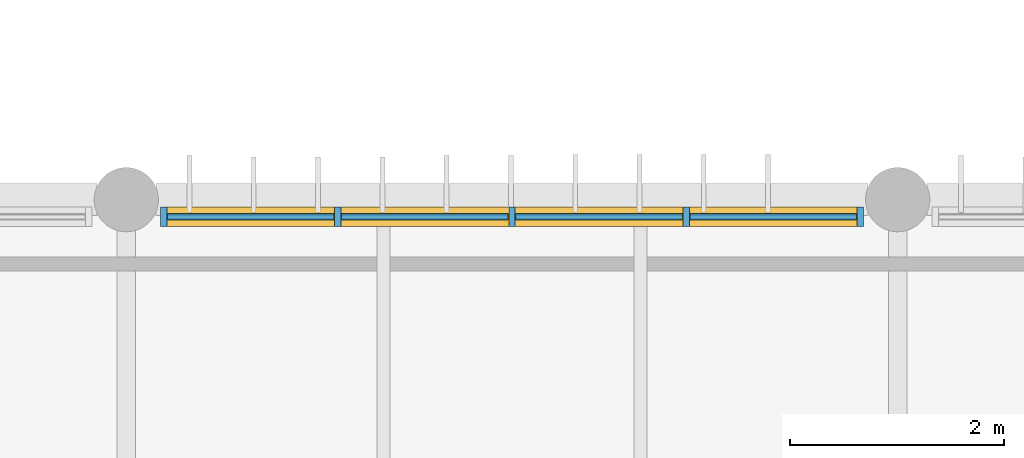
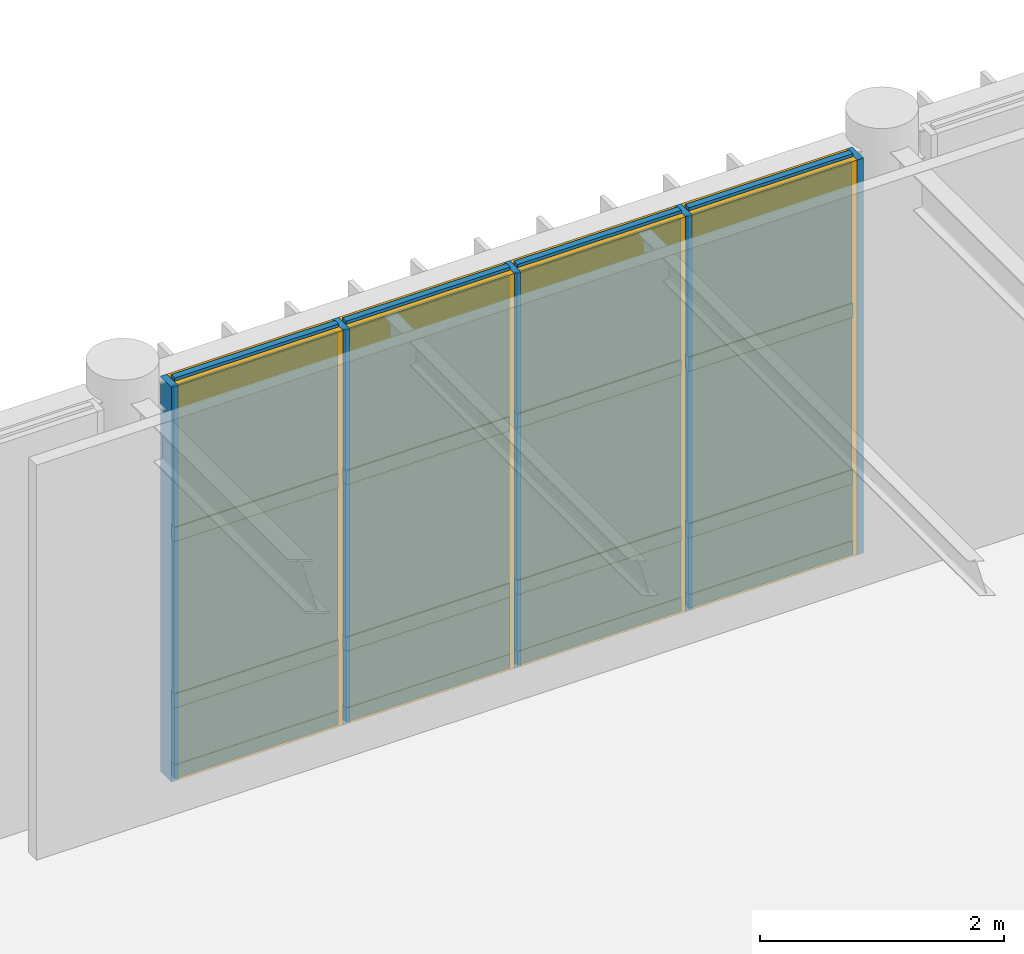
# One storey, part 60 of 104: 21 members, 12 plates, 1 curtain wall.
"""IFC4 building model written with IfcOpenShell, lengths in metres."""

from ifc_helpers import new_model, si_unit, direction, frame, frame_2d, origin, origin_2d, place, context, subcontext, project, spatial, rectangle, extrude, material, layer, layer_set, material_profile, profile_set, type_object, element, aggregate, save


model = new_model("IFC4")

# Units and contexts
model_context = context("Model", 3, precision=1e-05, world=origin(), true_north=direction((0.0, 1.0)))
body_context = subcontext(model_context, "Body", "Model", "MODEL_VIEW")
ifc_project = project(units=[si_unit("LENGTHUNIT", "METRE"), si_unit("AREAUNIT", "SQUARE_METRE"), si_unit("VOLUMEUNIT", "CUBIC_METRE"), si_unit("PLANEANGLEUNIT", "RADIAN"), si_unit("MASSUNIT", "GRAM", prefix="KILO")], contexts=[model_context])

# Member
ifc_material_1 = material(Name="Anodised Bronze Aluminium 6063-T6", Category="aluminium")
ifc_material_profile_1 = material_profile(ifc_material_1, rectangle(XDim=0.06005859375, YDim=0.179931640625, at=origin_2d()), Name="ALU MULLION 60x180")
ifc_profile_set_1 = profile_set([ifc_material_profile_1], Name="Anodised Bronze Aluminium 6063-T6")
member_type_1 = type_object("IfcMemberType", Name="Curtain-Wall Primary Mullion 60x180", PredefinedType="MULLION", material=ifc_profile_set_1)
site_placement = place(None, origin())
building_placement = place(site_placement, origin())
storey_placement = place(building_placement, frame((0.0, 0.0, 9.0)))
member_1_placement = place(storey_placement, frame((43.550048828125, 30.0400390625, 0.0), z_axis=(0.0, 0.0, 1.0), x_axis=(1.0, 0.0, 0.0)))
member_1 = element("IfcMember", 1, at=member_1_placement, type_object=member_type_1, Name="Mullion CWM-01 CW-V5-NRET-W-L02-B2-M01", PredefinedType="MULLION", context=body_context, shape_type="SweptSolid", body=[
    extrude(rectangle(XDim=0.06005859375, YDim=0.179931640625, at=origin_2d()), origin(), (0.0, 0.0, 1.0), 3.9599609375),
])

member_2_placement = place(storey_placement, frame((45.175048828125, 30.0400390625, 0.0), z_axis=(0.0, 0.0, 1.0), x_axis=(1.0, 0.0, 0.0)))
member_2 = element("IfcMember", 2, at=member_2_placement, type_object=member_type_1, Name="Mullion CWM-01 CW-V5-NRET-W-L02-B2-M02", PredefinedType="MULLION", context=body_context, shape_type="SweptSolid", body=[
    extrude(rectangle(XDim=0.06005859375, YDim=0.179931640625, at=origin_2d()), origin(), (0.0, 0.0, 1.0), 3.9599609375),
])

member_3_placement = place(storey_placement, frame((46.800048828125, 30.0400390625, 0.0), z_axis=(0.0, 0.0, 1.0), x_axis=(1.0, 0.0, 0.0)))
member_3 = element("IfcMember", 3, at=member_3_placement, type_object=member_type_1, Name="Mullion CWM-01 CW-V5-NRET-W-L02-B2-M03", PredefinedType="MULLION", context=body_context, shape_type="SweptSolid", body=[
    extrude(rectangle(XDim=0.06005859375, YDim=0.179931640625, at=origin_2d()), origin(), (0.0, 0.0, 1.0), 3.9599609375),
])

member_4_placement = place(storey_placement, frame((48.425048828125, 30.0400390625, 0.0), z_axis=(0.0, 0.0, 1.0), x_axis=(1.0, 0.0, 0.0)))
member_4 = element("IfcMember", 4, at=member_4_placement, type_object=member_type_1, Name="Mullion CWM-01 CW-V5-NRET-W-L02-B2-M04", PredefinedType="MULLION", context=body_context, shape_type="SweptSolid", body=[
    extrude(rectangle(XDim=0.06005859375, YDim=0.179931640625, at=origin_2d()), origin(), (0.0, 0.0, 1.0), 3.9599609375),
])

member_5_placement = place(storey_placement, frame((50.050048828125, 30.0400390625, 0.0), z_axis=(0.0, 0.0, 1.0), x_axis=(1.0, 0.0, 0.0)))
member_5 = element("IfcMember", 5, at=member_5_placement, type_object=member_type_1, Name="Mullion CWM-01 CW-V5-NRET-W-L02-B2-M05", PredefinedType="MULLION", context=body_context, shape_type="SweptSolid", body=[
    extrude(rectangle(XDim=0.06005859375, YDim=0.179931640625, at=origin_2d()), origin(), (0.0, 0.0, 1.0), 3.9599609375),
])

ifc_material_profile_2 = material_profile(ifc_material_1, rectangle(XDim=0.06005859375, YDim=0.139892578125, at=origin_2d()), Name="ALU TRANSOM 60x140")
ifc_profile_set_2 = profile_set([ifc_material_profile_2], Name="Anodised Bronze Aluminium 6063-T6")
member_type_2 = type_object("IfcMemberType", Name="Curtain-Wall Transom 60x140", PredefinedType="USERDEFINED", material=ifc_profile_set_2)
member_6_placement = place(storey_placement, frame((43.5849609375, 30.0400390625, 0.0400390625), z_axis=(1.0, 0.0, 0.0), x_axis=(0.0, 1.0, 0.0)))
member_6 = element("IfcMember", 6, at=member_6_placement, type_object=member_type_2, Name="Transom CWT-01 CW-V5-NRET-W-L02-B2-T01.1", ObjectType="TRANSOM", PredefinedType="USERDEFINED", context=body_context, shape_type="SweptSolid", body=[
    extrude(rectangle(XDim=0.06005859375, YDim=0.139892578125, at=origin_2d()), origin(), (0.0, 0.0, 1.0), 1.554931640625),
])

member_7_placement = place(storey_placement, frame((43.5849609375, 30.0400390625, 0.75), z_axis=(1.0, 0.0, 0.0), x_axis=(0.0, 1.0, 0.0)))
member_7 = element("IfcMember", 7, at=member_7_placement, type_object=member_type_2, Name="Transom CWT-01 CW-V5-NRET-W-L02-B2-T01.2", ObjectType="TRANSOM", PredefinedType="USERDEFINED", context=body_context, shape_type="SweptSolid", body=[
    extrude(rectangle(XDim=0.06005859375, YDim=0.139892578125, at=origin_2d()), origin(), (0.0, 0.0, 1.0), 1.554931640625),
])

member_8_placement = place(storey_placement, frame((43.5849609375, 30.0400390625, 2.419189453125), z_axis=(1.0, 0.0, 0.0), x_axis=(0.0, 1.0, 0.0)))
member_8 = element("IfcMember", 8, at=member_8_placement, type_object=member_type_2, Name="Transom CWT-01 CW-V5-NRET-W-L02-B2-T01.3", ObjectType="TRANSOM", PredefinedType="USERDEFINED", context=body_context, shape_type="SweptSolid", body=[
    extrude(rectangle(XDim=0.06005859375, YDim=0.139892578125, at=origin_2d()), origin(), (0.0, 0.0, 1.0), 1.554931640625),
])

member_9_placement = place(storey_placement, frame((43.5849609375, 30.0400390625, 3.919921875), z_axis=(1.0, 0.0, 0.0), x_axis=(0.0, 1.0, 0.0)))
member_9 = element("IfcMember", 9, at=member_9_placement, type_object=member_type_2, Name="Transom CWT-01 CW-V5-NRET-W-L02-B2-T01.4", ObjectType="TRANSOM", PredefinedType="USERDEFINED", context=body_context, shape_type="SweptSolid", body=[
    extrude(rectangle(XDim=0.06005859375, YDim=0.139892578125, at=origin_2d()), origin(), (0.0, 0.0, 1.0), 1.554931640625),
])

member_10_placement = place(storey_placement, frame((45.2099609375, 30.0400390625, 0.0400390625), z_axis=(1.0, 0.0, 0.0), x_axis=(0.0, 1.0, 0.0)))
member_10 = element("IfcMember", 10, at=member_10_placement, type_object=member_type_2, Name="Transom CWT-01 CW-V5-NRET-W-L02-B2-T02.1", ObjectType="TRANSOM", PredefinedType="USERDEFINED", context=body_context, shape_type="SweptSolid", body=[
    extrude(rectangle(XDim=0.06005859375, YDim=0.139892578125, at=origin_2d()), origin(), (0.0, 0.0, 1.0), 1.554931640625),
])

member_11_placement = place(storey_placement, frame((45.2099609375, 30.0400390625, 0.75), z_axis=(1.0, 0.0, 0.0), x_axis=(0.0, 1.0, 0.0)))
member_11 = element("IfcMember", 11, at=member_11_placement, type_object=member_type_2, Name="Transom CWT-01 CW-V5-NRET-W-L02-B2-T02.2", ObjectType="TRANSOM", PredefinedType="USERDEFINED", context=body_context, shape_type="SweptSolid", body=[
    extrude(rectangle(XDim=0.06005859375, YDim=0.139892578125, at=origin_2d()), origin(), (0.0, 0.0, 1.0), 1.554931640625),
])

member_12_placement = place(storey_placement, frame((45.2099609375, 30.0400390625, 2.419189453125), z_axis=(1.0, 0.0, 0.0), x_axis=(0.0, 1.0, 0.0)))
member_12 = element("IfcMember", 12, at=member_12_placement, type_object=member_type_2, Name="Transom CWT-01 CW-V5-NRET-W-L02-B2-T02.3", ObjectType="TRANSOM", PredefinedType="USERDEFINED", context=body_context, shape_type="SweptSolid", body=[
    extrude(rectangle(XDim=0.06005859375, YDim=0.139892578125, at=origin_2d()), origin(), (0.0, 0.0, 1.0), 1.554931640625),
])

member_13_placement = place(storey_placement, frame((45.2099609375, 30.0400390625, 3.919921875), z_axis=(1.0, 0.0, 0.0), x_axis=(0.0, 1.0, 0.0)))
member_13 = element("IfcMember", 13, at=member_13_placement, type_object=member_type_2, Name="Transom CWT-01 CW-V5-NRET-W-L02-B2-T02.4", ObjectType="TRANSOM", PredefinedType="USERDEFINED", context=body_context, shape_type="SweptSolid", body=[
    extrude(rectangle(XDim=0.06005859375, YDim=0.139892578125, at=origin_2d()), origin(), (0.0, 0.0, 1.0), 1.554931640625),
])

member_14_placement = place(storey_placement, frame((46.8349609375, 30.0400390625, 0.0400390625), z_axis=(1.0, 0.0, 0.0), x_axis=(0.0, 1.0, 0.0)))
member_14 = element("IfcMember", 14, at=member_14_placement, type_object=member_type_2, Name="Transom CWT-01 CW-V5-NRET-W-L02-B2-T03.1", ObjectType="TRANSOM", PredefinedType="USERDEFINED", context=body_context, shape_type="SweptSolid", body=[
    extrude(rectangle(XDim=0.06005859375, YDim=0.139892578125, at=origin_2d()), origin(), (0.0, 0.0, 1.0), 1.554931640625),
])

member_15_placement = place(storey_placement, frame((46.8349609375, 30.0400390625, 0.75), z_axis=(1.0, 0.0, 0.0), x_axis=(0.0, 1.0, 0.0)))
member_15 = element("IfcMember", 15, at=member_15_placement, type_object=member_type_2, Name="Transom CWT-01 CW-V5-NRET-W-L02-B2-T03.2", ObjectType="TRANSOM", PredefinedType="USERDEFINED", context=body_context, shape_type="SweptSolid", body=[
    extrude(rectangle(XDim=0.06005859375, YDim=0.139892578125, at=origin_2d()), origin(), (0.0, 0.0, 1.0), 1.554931640625),
])

member_16_placement = place(storey_placement, frame((46.8349609375, 30.0400390625, 2.419189453125), z_axis=(1.0, 0.0, 0.0), x_axis=(0.0, 1.0, 0.0)))
member_16 = element("IfcMember", 16, at=member_16_placement, type_object=member_type_2, Name="Transom CWT-01 CW-V5-NRET-W-L02-B2-T03.3", ObjectType="TRANSOM", PredefinedType="USERDEFINED", context=body_context, shape_type="SweptSolid", body=[
    extrude(rectangle(XDim=0.06005859375, YDim=0.139892578125, at=origin_2d()), origin(), (0.0, 0.0, 1.0), 1.554931640625),
])

member_17_placement = place(storey_placement, frame((46.8349609375, 30.0400390625, 3.919921875), z_axis=(1.0, 0.0, 0.0), x_axis=(0.0, 1.0, 0.0)))
member_17 = element("IfcMember", 17, at=member_17_placement, type_object=member_type_2, Name="Transom CWT-01 CW-V5-NRET-W-L02-B2-T03.4", ObjectType="TRANSOM", PredefinedType="USERDEFINED", context=body_context, shape_type="SweptSolid", body=[
    extrude(rectangle(XDim=0.06005859375, YDim=0.139892578125, at=origin_2d()), origin(), (0.0, 0.0, 1.0), 1.554931640625),
])

member_18_placement = place(storey_placement, frame((48.4599609375, 30.0400390625, 0.0400390625), z_axis=(1.0, 0.0, 0.0), x_axis=(0.0, 1.0, 0.0)))
member_18 = element("IfcMember", 18, at=member_18_placement, type_object=member_type_2, Name="Transom CWT-01 CW-V5-NRET-W-L02-B2-T04.1", ObjectType="TRANSOM", PredefinedType="USERDEFINED", context=body_context, shape_type="SweptSolid", body=[
    extrude(rectangle(XDim=0.06005859375, YDim=0.139892578125, at=origin_2d()), origin(), (0.0, 0.0, 1.0), 1.554931640625),
])

member_19_placement = place(storey_placement, frame((48.4599609375, 30.0400390625, 0.75), z_axis=(1.0, 0.0, 0.0), x_axis=(0.0, 1.0, 0.0)))
member_19 = element("IfcMember", 19, at=member_19_placement, type_object=member_type_2, Name="Transom CWT-01 CW-V5-NRET-W-L02-B2-T04.2", ObjectType="TRANSOM", PredefinedType="USERDEFINED", context=body_context, shape_type="SweptSolid", body=[
    extrude(rectangle(XDim=0.06005859375, YDim=0.139892578125, at=origin_2d()), origin(), (0.0, 0.0, 1.0), 1.554931640625),
])

member_20_placement = place(storey_placement, frame((48.4599609375, 30.0400390625, 2.419189453125), z_axis=(1.0, 0.0, 0.0), x_axis=(0.0, 1.0, 0.0)))
member_20 = element("IfcMember", 20, at=member_20_placement, type_object=member_type_2, Name="Transom CWT-01 CW-V5-NRET-W-L02-B2-T04.3", ObjectType="TRANSOM", PredefinedType="USERDEFINED", context=body_context, shape_type="SweptSolid", body=[
    extrude(rectangle(XDim=0.06005859375, YDim=0.139892578125, at=origin_2d()), origin(), (0.0, 0.0, 1.0), 1.554931640625),
])

member_21_placement = place(storey_placement, frame((48.4599609375, 30.0400390625, 3.919921875), z_axis=(1.0, 0.0, 0.0), x_axis=(0.0, 1.0, 0.0)))
member_21 = element("IfcMember", 21, at=member_21_placement, type_object=member_type_2, Name="Transom CWT-01 CW-V5-NRET-W-L02-B2-T04.4", ObjectType="TRANSOM", PredefinedType="USERDEFINED", context=body_context, shape_type="SweptSolid", body=[
    extrude(rectangle(XDim=0.06005859375, YDim=0.139892578125, at=origin_2d()), origin(), (0.0, 0.0, 1.0), 1.554931640625),
])

# Plate
ifc_material_2 = material(Name="Insulated Bronze Aluminium Spandrel Panel", Category="aluminium")
ifc_layer_1 = layer(ifc_material_2, 0.050048828125, Name="Insulated Bronze Aluminium Spandrel Panel")
ifc_layer_set_1 = layer_set([ifc_layer_1], Name="Insulated Bronze Aluminium Spandrel Panel")
plate_type_1 = type_object("IfcPlateType", Name="Insulated Anodised Aluminium Spandrel Cassette 50", PredefinedType="CURTAIN_PANEL", material=ifc_layer_set_1)
plate_1_placement = place(storey_placement, frame((44.362548828125, 30.0400390625, 0.070068359375), z_axis=(0.0, 0.0, 1.0), x_axis=(1.0, 0.0, 0.0)))
plate_1 = element("IfcPlate", 22, at=plate_1_placement, type_object=plate_type_1, Name="Curtain Panel CWP-03 CW-V5-NRET-W-L02-B2-P01.1", PredefinedType="CURTAIN_PANEL", context=body_context, shape_type="SweptSolid", body=[
    extrude(rectangle(XDim=1.554931640625, YDim=0.050048828125, at=origin_2d()), origin(), (0.0, 0.0, 1.0), 0.64990234375),
])

plate_2_placement = place(storey_placement, frame((45.987548828125, 30.0400390625, 0.070068359375), z_axis=(0.0, 0.0, 1.0), x_axis=(1.0, 0.0, 0.0)))
plate_2 = element("IfcPlate", 23, at=plate_2_placement, type_object=plate_type_1, Name="Curtain Panel CWP-03 CW-V5-NRET-W-L02-B2-P02.1", PredefinedType="CURTAIN_PANEL", context=body_context, shape_type="SweptSolid", body=[
    extrude(rectangle(XDim=1.554931640625, YDim=0.050048828125, at=origin_2d()), origin(), (0.0, 0.0, 1.0), 0.64990234375),
])

plate_3_placement = place(storey_placement, frame((47.612548828125, 30.0400390625, 0.070068359375), z_axis=(0.0, 0.0, 1.0), x_axis=(1.0, 0.0, 0.0)))
plate_3 = element("IfcPlate", 24, at=plate_3_placement, type_object=plate_type_1, Name="Curtain Panel CWP-03 CW-V5-NRET-W-L02-B2-P03.1", PredefinedType="CURTAIN_PANEL", context=body_context, shape_type="SweptSolid", body=[
    extrude(rectangle(XDim=1.554931640625, YDim=0.050048828125, at=origin_2d()), origin(), (0.0, 0.0, 1.0), 0.64990234375),
])

plate_4_placement = place(storey_placement, frame((49.237548828125, 30.0400390625, 0.070068359375), z_axis=(0.0, 0.0, 1.0), x_axis=(1.0, 0.0, 0.0)))
plate_4 = element("IfcPlate", 25, at=plate_4_placement, type_object=plate_type_1, Name="Curtain Panel CWP-03 CW-V5-NRET-W-L02-B2-P04.1", PredefinedType="CURTAIN_PANEL", context=body_context, shape_type="SweptSolid", body=[
    extrude(rectangle(XDim=1.554931640625, YDim=0.050048828125, at=origin_2d()), origin(), (0.0, 0.0, 1.0), 0.64990234375),
])

ifc_material_3 = material(Name="Solar-Control Tempered Double Glazing", Category="glass")
ifc_layer_2 = layer(ifc_material_3, 0.0380859375, Name="Solar-Control Tempered Double Glazing")
ifc_layer_set_2 = layer_set([ifc_layer_2], Name="Solar-Control Tempered Double Glazing")
plate_type_2 = type_object("IfcPlateType", Name="Solar-Control Vision Glazing Unit 38", PredefinedType="CURTAIN_PANEL", material=ifc_layer_set_2)
plate_5_placement = place(storey_placement, frame((44.362548828125, 30.0400390625, 0.7802734375), z_axis=(0.0, 0.0, 1.0), x_axis=(1.0, 0.0, 0.0)))
plate_5 = element("IfcPlate", 26, at=plate_5_placement, type_object=plate_type_2, Name="Curtain Panel CWP-02 CW-V5-NRET-W-L02-B2-P01.2", PredefinedType="CURTAIN_PANEL", context=body_context, shape_type="SweptSolid", body=[
    extrude(rectangle(XDim=1.554931640625, YDim=0.0380859375, at=origin_2d()), origin(), (0.0, 0.0, 1.0), 1.609130859375),
])

plate_6_placement = place(storey_placement, frame((44.362548828125, 30.0400390625, 2.44921875), z_axis=(0.0, 0.0, 1.0), x_axis=(1.0, 0.0, 0.0)))
plate_6 = element("IfcPlate", 27, at=plate_6_placement, type_object=plate_type_2, Name="Curtain Panel CWP-02 CW-V5-NRET-W-L02-B2-P01.3", PredefinedType="CURTAIN_PANEL", context=body_context, shape_type="SweptSolid", body=[
    extrude(rectangle(XDim=1.554931640625, YDim=0.0380859375, at=origin_2d()), origin(), (0.0, 0.0, 1.0), 1.44091796875),
])

plate_7_placement = place(storey_placement, frame((45.987548828125, 30.0400390625, 0.7802734375), z_axis=(0.0, 0.0, 1.0), x_axis=(1.0, 0.0, 0.0)))
plate_7 = element("IfcPlate", 28, at=plate_7_placement, type_object=plate_type_2, Name="Curtain Panel CWP-02 CW-V5-NRET-W-L02-B2-P02.2", PredefinedType="CURTAIN_PANEL", context=body_context, shape_type="SweptSolid", body=[
    extrude(rectangle(XDim=1.554931640625, YDim=0.0380859375, at=origin_2d()), origin(), (0.0, 0.0, 1.0), 1.609130859375),
])

plate_8_placement = place(storey_placement, frame((45.987548828125, 30.0400390625, 2.44921875), z_axis=(0.0, 0.0, 1.0), x_axis=(1.0, 0.0, 0.0)))
plate_8 = element("IfcPlate", 29, at=plate_8_placement, type_object=plate_type_2, Name="Curtain Panel CWP-02 CW-V5-NRET-W-L02-B2-P02.3", PredefinedType="CURTAIN_PANEL", context=body_context, shape_type="SweptSolid", body=[
    extrude(rectangle(XDim=1.554931640625, YDim=0.0380859375, at=origin_2d()), origin(), (0.0, 0.0, 1.0), 1.44091796875),
])

plate_9_placement = place(storey_placement, frame((47.612548828125, 30.0400390625, 0.7802734375), z_axis=(0.0, 0.0, 1.0), x_axis=(1.0, 0.0, 0.0)))
plate_9 = element("IfcPlate", 30, at=plate_9_placement, type_object=plate_type_2, Name="Curtain Panel CWP-02 CW-V5-NRET-W-L02-B2-P03.2", PredefinedType="CURTAIN_PANEL", context=body_context, shape_type="SweptSolid", body=[
    extrude(rectangle(XDim=1.554931640625, YDim=0.0380859375, at=origin_2d()), origin(), (0.0, 0.0, 1.0), 1.609130859375),
])

plate_10_placement = place(storey_placement, frame((47.612548828125, 30.0400390625, 2.44921875), z_axis=(0.0, 0.0, 1.0), x_axis=(1.0, 0.0, 0.0)))
plate_10 = element("IfcPlate", 31, at=plate_10_placement, type_object=plate_type_2, Name="Curtain Panel CWP-02 CW-V5-NRET-W-L02-B2-P03.3", PredefinedType="CURTAIN_PANEL", context=body_context, shape_type="SweptSolid", body=[
    extrude(rectangle(XDim=1.554931640625, YDim=0.0380859375, at=origin_2d()), origin(), (0.0, 0.0, 1.0), 1.44091796875),
])

plate_11_placement = place(storey_placement, frame((49.237548828125, 30.0400390625, 0.7802734375), z_axis=(0.0, 0.0, 1.0), x_axis=(1.0, 0.0, 0.0)))
plate_11 = element("IfcPlate", 32, at=plate_11_placement, type_object=plate_type_2, Name="Curtain Panel CWP-02 CW-V5-NRET-W-L02-B2-P04.2", PredefinedType="CURTAIN_PANEL", context=body_context, shape_type="SweptSolid", body=[
    extrude(rectangle(XDim=1.554931640625, YDim=0.0380859375, at=origin_2d()), origin(), (0.0, 0.0, 1.0), 1.609130859375),
])

plate_12_placement = place(storey_placement, frame((49.237548828125, 30.0400390625, 2.44921875), z_axis=(0.0, 0.0, 1.0), x_axis=(1.0, 0.0, 0.0)))
plate_12 = element("IfcPlate", 33, at=plate_12_placement, type_object=plate_type_2, Name="Curtain Panel CWP-02 CW-V5-NRET-W-L02-B2-P04.3", PredefinedType="CURTAIN_PANEL", context=body_context, shape_type="SweptSolid", body=[
    extrude(rectangle(XDim=1.554931640625, YDim=0.0380859375, at=origin_2d()), origin(), (0.0, 0.0, 1.0), 1.44091796875),
])

# Site, building, storey
site = spatial("IfcSite", under=ifc_project, at=site_placement, CompositionType="ELEMENT")
building = spatial("IfcBuilding", under=site, at=building_placement, Name="Tazoul Stagehouse", CompositionType="ELEMENT")
storey = spatial("IfcBuildingStorey", under=building, at=storey_placement, Name="L02", CompositionType="ELEMENT", Elevation=9.0)

# Curtain wall
curtain_wall_type = type_object("IfcCurtainWallType", Name="Foyer Clear Solar-Control Curtain Wall", PredefinedType="NOTDEFINED", material=ifc_material_1)
curtain_wall_placement = place(storey_placement, frame((43.550048828125, 30.0400390625, 0.0), z_axis=(0.0, 0.0, 1.0), x_axis=(1.0, 0.0, 0.0)))
curtain_wall = element("IfcCurtainWall", 34, at=curtain_wall_placement, inside=storey, type_object=curtain_wall_type, Name="L02 Curtain Wall CW-02 (CW-V5-NRET-W-L02-B2)", PredefinedType="NOTDEFINED", context=body_context, shape_type="SweptSolid", body=[
    extrude(rectangle(XDim=6.5, YDim=0.179931640625, at=frame_2d((3.25, 0.0))), origin(), (0.0, 0.0, 1.0), 3.9599609375),
])

aggregate(curtain_wall, [member_1, member_2, member_3, member_4, member_5, member_6, member_7, member_8, member_9, plate_1, plate_5, plate_6, member_10, member_11, member_12, member_13, plate_2, plate_7, plate_8, member_14, member_15, member_16, member_17, plate_3, plate_9, plate_10, member_18, member_19, member_20, member_21, plate_4, plate_11, plate_12])

save(model, "model.ifc")
